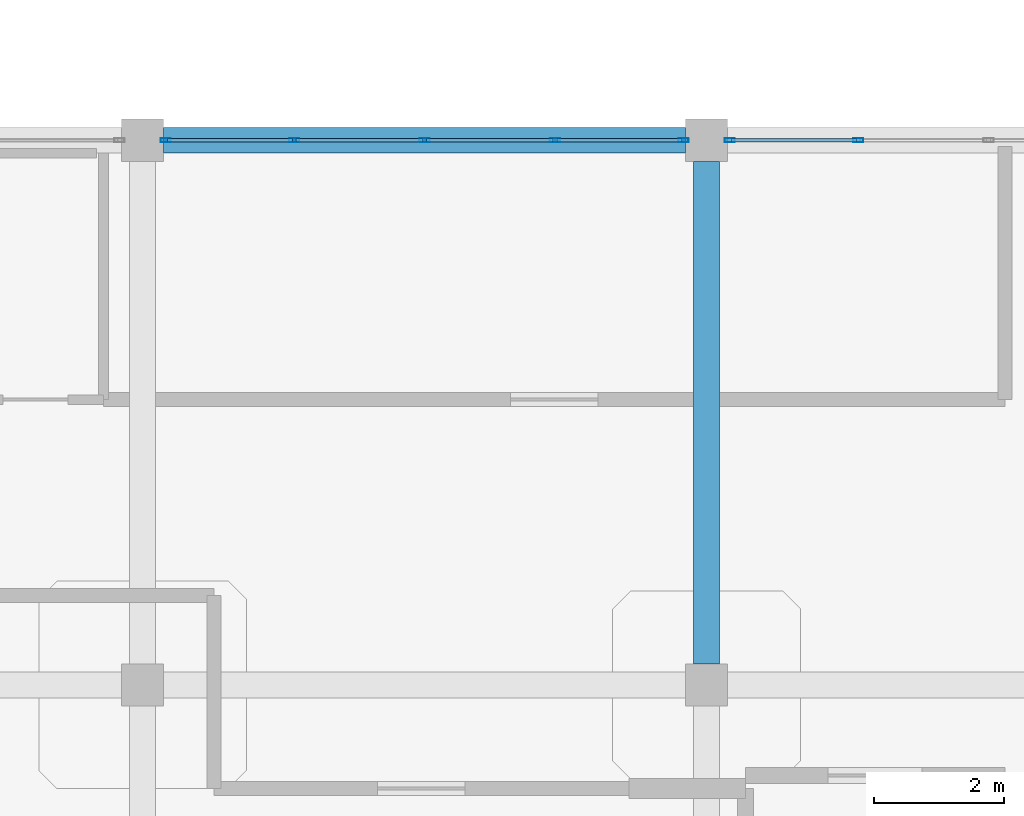
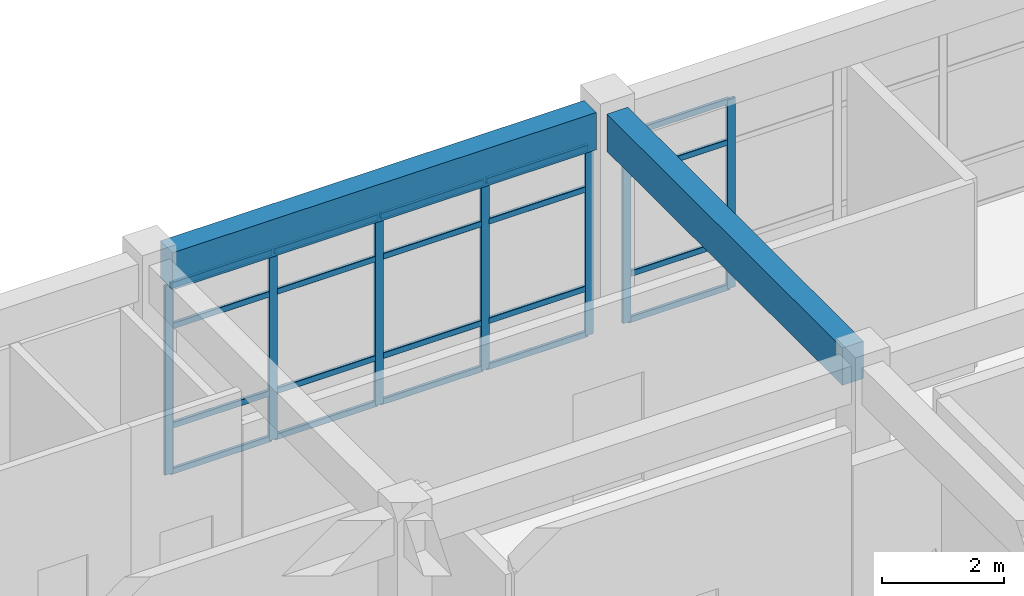
# One storey, part 18 of 41: 27 members, 2 beams, 2 elements without a shape of their own.
"""IFC4 building model written with IfcOpenShell, lengths in metres."""

from ifc_helpers import new_model, si_unit, derived_unit, direction, frame, origin, origin_2d, place, context, subcontext, project, spatial, rectangle, hollow_rectangle, extrude, material, layer, layer_set, material_profile, profile_set, type_object, element, aggregate, save


model = new_model("IFC4")

# Units and contexts
model_context = context("Model", 3, precision=1e-05, world=origin(), true_north=direction((0.0, 1.0)))
body_context = subcontext(model_context, "Body", "Model", "MODEL_VIEW")
ifc_project = project(units=[si_unit("LENGTHUNIT", "METRE"), si_unit("AREAUNIT", "SQUARE_METRE"), si_unit("VOLUMEUNIT", "CUBIC_METRE"), si_unit("PLANEANGLEUNIT", "RADIAN"), si_unit("MASSUNIT", "GRAM", prefix="KILO"), derived_unit("THERMALTRANSMITTANCEUNIT", [(si_unit("MASSUNIT", "GRAM", prefix="KILO"), 1), (si_unit("TIMEUNIT", "SECOND"), -3), (si_unit("THERMODYNAMICTEMPERATUREUNIT", "KELVIN"), -1)])], contexts=[model_context])

# Site, building, storey
site_placement = place(None, origin())
site = spatial("IfcSite", under=ifc_project, at=site_placement, CompositionType="ELEMENT")
building_placement = place(site_placement, origin())
building = spatial("IfcBuilding", under=site, at=building_placement, Name="Qinzheling Arcade Emporium", CompositionType="ELEMENT")
storey_placement = place(building_placement, frame((0.0, 0.0, 36.300048828125)))
storey = spatial("IfcBuildingStorey", under=building, at=storey_placement, Name="L08", CompositionType="ELEMENT", Elevation=36.300048828125)

# Curtain wall, members
ifc_material_1 = material(Name="Anodised aluminium and solar-control double glazing", Category="aluminium")
ifc_layer = layer(ifc_material_1, 0.159912109375, Name="Anodised aluminium and solar-control double glazing", Category="aluminium")
ifc_layer_set = layer_set([ifc_layer], Name="Anodised aluminium and solar-control double glazing")
curtain_wall_type = type_object("IfcCurtainWallType", Name="Atrium Clerestory Curtain Wall", PredefinedType="NOTDEFINED", material=ifc_layer_set)
curtain_wall_1_placement = place(storey_placement, origin())
curtain_wall_1 = element("IfcCurtainWall", 1, at=curtain_wall_1_placement, inside=storey, type_object=curtain_wall_type, Name="Curtain Wall CW-L08-465", PredefinedType="NOTDEFINED")
ifc_material_2 = material(Name="Anodised aluminium 6063-T6", Category="aluminium")
ifc_material_profile_1 = material_profile(ifc_material_2, hollow_rectangle(XDim=0.06005859375, YDim=0.159912109375, WallThickness=0.00390625, InnerFilletRadius=0.00390625, OuterFilletRadius=0.008056640625, at=origin_2d()), Name="RHS 160x60x4", Category="aluminium")
ifc_profile_set_1 = profile_set([ifc_material_profile_1], Name="Anodised aluminium 6063-T6")
member_type_1 = type_object("IfcMemberType", Name="Curtain Wall Mullion RHS160x60", PredefinedType="MULLION", material=ifc_profile_set_1)
member_1_placement = place(storey_placement, frame((43.85693359375, 42.0, 0.0), z_axis=(0.0, 0.0, 1.0), x_axis=(0.0, 1.0, 0.0)))
member_1 = element("IfcMember", 2, at=member_1_placement, type_object=member_type_1, Name="CW03 mullion 1", PredefinedType="MULLION", context=body_context, shape_type="SweptSolid", body=[
    extrude(hollow_rectangle(XDim=0.06005859375, YDim=0.159912109375, WallThickness=0.00390625, InnerFilletRadius=0.00390625, OuterFilletRadius=0.008056640625, at=origin_2d()), origin(), (0.0, 0.0, 1.0), 3.794921875),
])
member_2_placement = place(storey_placement, frame((45.83837890625, 42.0, 0.0), z_axis=(0.0, 0.0, 1.0), x_axis=(0.0, 1.0, 0.0)))
member_2 = element("IfcMember", 3, at=member_2_placement, type_object=member_type_1, Name="CW03 mullion 2", PredefinedType="MULLION", context=body_context, shape_type="SweptSolid", body=[
    extrude(hollow_rectangle(XDim=0.06005859375, YDim=0.159912109375, WallThickness=0.00390625, InnerFilletRadius=0.00390625, OuterFilletRadius=0.008056640625, at=origin_2d()), origin(), (0.0, 0.0, 1.0), 3.794921875),
])
member_3_placement = place(storey_placement, frame((47.85009765625, 42.0, 0.0), z_axis=(0.0, 0.0, 1.0), x_axis=(0.0, 1.0, 0.0)))
member_3 = element("IfcMember", 4, at=member_3_placement, type_object=member_type_1, Name="CW03 mullion 3", PredefinedType="MULLION", context=body_context, shape_type="SweptSolid", body=[
    extrude(hollow_rectangle(XDim=0.06005859375, YDim=0.159912109375, WallThickness=0.00390625, InnerFilletRadius=0.00390625, OuterFilletRadius=0.008056640625, at=origin_2d()), origin(), (0.0, 0.0, 1.0), 3.794921875),
])
member_4_placement = place(storey_placement, frame((49.861572265625, 42.0, 0.0), z_axis=(0.0, 0.0, 1.0), x_axis=(0.0, 1.0, 0.0)))
member_4 = element("IfcMember", 5, at=member_4_placement, type_object=member_type_1, Name="CW03 mullion 4", PredefinedType="MULLION", context=body_context, shape_type="SweptSolid", body=[
    extrude(hollow_rectangle(XDim=0.06005859375, YDim=0.159912109375, WallThickness=0.00390625, InnerFilletRadius=0.00390625, OuterFilletRadius=0.008056640625, at=origin_2d()), origin(), (0.0, 0.0, 1.0), 3.794921875),
])
member_5_placement = place(storey_placement, frame((51.843017578125, 42.0, 0.0), z_axis=(0.0, 0.0, 1.0), x_axis=(0.0, 1.0, 0.0)))
member_5 = element("IfcMember", 6, at=member_5_placement, type_object=member_type_1, Name="CW03 mullion 5", PredefinedType="MULLION", context=body_context, shape_type="SweptSolid", body=[
    extrude(hollow_rectangle(XDim=0.06005859375, YDim=0.159912109375, WallThickness=0.00390625, InnerFilletRadius=0.00390625, OuterFilletRadius=0.008056640625, at=origin_2d()), origin(), (0.0, 0.0, 1.0), 3.794921875),
])

curtain_wall_2_placement = place(storey_placement, origin())
curtain_wall_2 = element("IfcCurtainWall", 7, at=curtain_wall_2_placement, inside=storey, type_object=curtain_wall_type, Name="Curtain Wall CW-L08-466", PredefinedType="NOTDEFINED")
member_6_placement = place(storey_placement, frame((52.556884765625, 42.0, 0.0), z_axis=(0.0, 0.0, 1.0), x_axis=(0.0, 1.0, 0.0)))
member_6 = element("IfcMember", 8, at=member_6_placement, type_object=member_type_1, Name="CW03 mullion 1", PredefinedType="MULLION", context=body_context, shape_type="SweptSolid", body=[
    extrude(hollow_rectangle(XDim=0.06005859375, YDim=0.159912109375, WallThickness=0.00390625, InnerFilletRadius=0.00390625, OuterFilletRadius=0.008056640625, at=origin_2d()), origin(), (0.0, 0.0, 1.0), 3.794921875),
])
member_7_placement = place(storey_placement, frame((54.53857421875, 42.0, 0.0), z_axis=(0.0, 0.0, 1.0), x_axis=(0.0, 1.0, 0.0)))
member_7 = element("IfcMember", 9, at=member_7_placement, type_object=member_type_1, Name="CW03 mullion 2", PredefinedType="MULLION", context=body_context, shape_type="SweptSolid", body=[
    extrude(hollow_rectangle(XDim=0.06005859375, YDim=0.159912109375, WallThickness=0.00390625, InnerFilletRadius=0.00390625, OuterFilletRadius=0.008056640625, at=origin_2d()), origin(), (0.0, 0.0, 1.0), 3.794921875),
])

# Member
ifc_material_profile_2 = material_profile(ifc_material_2, hollow_rectangle(XDim=0.06005859375, YDim=0.1201171875, WallThickness=0.00390625, InnerFilletRadius=0.00390625, OuterFilletRadius=0.008056640625, at=origin_2d()), Name="RHS 120x60x4", Category="aluminium")
ifc_profile_set_2 = profile_set([ifc_material_profile_2], Name="Anodised aluminium 6063-T6")
member_type_2 = type_object("IfcMemberType", Name="Curtain Wall Transom RHS120x60", PredefinedType="USERDEFINED", material=ifc_profile_set_2)
member_8_placement = place(storey_placement, frame((43.886962890625, 42.0, 0.030029296875), z_axis=(1.0, 0.0, 0.0), x_axis=(0.0, 1.0, 0.0)))
member_8 = element("IfcMember", 10, at=member_8_placement, type_object=member_type_2, Name="CW03 transom 1.1", ObjectType="TRANSOM", PredefinedType="USERDEFINED", context=body_context, shape_type="SweptSolid", body=[
    extrude(hollow_rectangle(XDim=0.06005859375, YDim=0.1201171875, WallThickness=0.00390625, InnerFilletRadius=0.00390625, OuterFilletRadius=0.008056640625, at=origin_2d()), origin(), (0.0, 0.0, 1.0), 1.921630859375),
])

member_9_placement = place(storey_placement, frame((43.886962890625, 42.0, 0.949951171875), z_axis=(1.0, 0.0, 0.0), x_axis=(0.0, 1.0, 0.0)))
member_9 = element("IfcMember", 11, at=member_9_placement, type_object=member_type_2, Name="CW03 transom 1.2", ObjectType="TRANSOM", PredefinedType="USERDEFINED", context=body_context, shape_type="SweptSolid", body=[
    extrude(hollow_rectangle(XDim=0.06005859375, YDim=0.1201171875, WallThickness=0.00390625, InnerFilletRadius=0.00390625, OuterFilletRadius=0.008056640625, at=origin_2d()), origin(), (0.0, 0.0, 1.0), 1.921630859375),
])

member_10_placement = place(storey_placement, frame((43.886962890625, 42.0, 2.945068359375), z_axis=(1.0, 0.0, 0.0), x_axis=(0.0, 1.0, 0.0)))
member_10 = element("IfcMember", 12, at=member_10_placement, type_object=member_type_2, Name="CW03 transom 1.3", ObjectType="TRANSOM", PredefinedType="USERDEFINED", context=body_context, shape_type="SweptSolid", body=[
    extrude(hollow_rectangle(XDim=0.06005859375, YDim=0.1201171875, WallThickness=0.00390625, InnerFilletRadius=0.00390625, OuterFilletRadius=0.008056640625, at=origin_2d()), origin(), (0.0, 0.0, 1.0), 1.921630859375),
])

member_11_placement = place(storey_placement, frame((43.886962890625, 42.0, 3.764892578125), z_axis=(1.0, 0.0, 0.0), x_axis=(0.0, 1.0, 0.0)))
member_11 = element("IfcMember", 13, at=member_11_placement, type_object=member_type_2, Name="CW03 transom 1.4", ObjectType="TRANSOM", PredefinedType="USERDEFINED", context=body_context, shape_type="SweptSolid", body=[
    extrude(hollow_rectangle(XDim=0.06005859375, YDim=0.1201171875, WallThickness=0.00390625, InnerFilletRadius=0.00390625, OuterFilletRadius=0.008056640625, at=origin_2d()), origin(), (0.0, 0.0, 1.0), 1.921630859375),
])

member_12_placement = place(storey_placement, frame((45.868408203125, 42.0, 0.030029296875), z_axis=(1.0, 0.0, 0.0), x_axis=(0.0, 1.0, 0.0)))
member_12 = element("IfcMember", 14, at=member_12_placement, type_object=member_type_2, Name="CW03 transom 2.1", ObjectType="TRANSOM", PredefinedType="USERDEFINED", context=body_context, shape_type="SweptSolid", body=[
    extrude(hollow_rectangle(XDim=0.06005859375, YDim=0.1201171875, WallThickness=0.00390625, InnerFilletRadius=0.00390625, OuterFilletRadius=0.008056640625, at=origin_2d()), origin(), (0.0, 0.0, 1.0), 1.95166015625),
])

member_13_placement = place(storey_placement, frame((45.868408203125, 42.0, 0.949951171875), z_axis=(1.0, 0.0, 0.0), x_axis=(0.0, 1.0, 0.0)))
member_13 = element("IfcMember", 15, at=member_13_placement, type_object=member_type_2, Name="CW03 transom 2.2", ObjectType="TRANSOM", PredefinedType="USERDEFINED", context=body_context, shape_type="SweptSolid", body=[
    extrude(hollow_rectangle(XDim=0.06005859375, YDim=0.1201171875, WallThickness=0.00390625, InnerFilletRadius=0.00390625, OuterFilletRadius=0.008056640625, at=origin_2d()), origin(), (0.0, 0.0, 1.0), 1.95166015625),
])

member_14_placement = place(storey_placement, frame((45.868408203125, 42.0, 2.945068359375), z_axis=(1.0, 0.0, 0.0), x_axis=(0.0, 1.0, 0.0)))
member_14 = element("IfcMember", 16, at=member_14_placement, type_object=member_type_2, Name="CW03 transom 2.3", ObjectType="TRANSOM", PredefinedType="USERDEFINED", context=body_context, shape_type="SweptSolid", body=[
    extrude(hollow_rectangle(XDim=0.06005859375, YDim=0.1201171875, WallThickness=0.00390625, InnerFilletRadius=0.00390625, OuterFilletRadius=0.008056640625, at=origin_2d()), origin(), (0.0, 0.0, 1.0), 1.95166015625),
])

member_15_placement = place(storey_placement, frame((45.868408203125, 42.0, 3.764892578125), z_axis=(1.0, 0.0, 0.0), x_axis=(0.0, 1.0, 0.0)))
member_15 = element("IfcMember", 17, at=member_15_placement, type_object=member_type_2, Name="CW03 transom 2.4", ObjectType="TRANSOM", PredefinedType="USERDEFINED", context=body_context, shape_type="SweptSolid", body=[
    extrude(hollow_rectangle(XDim=0.06005859375, YDim=0.1201171875, WallThickness=0.00390625, InnerFilletRadius=0.00390625, OuterFilletRadius=0.008056640625, at=origin_2d()), origin(), (0.0, 0.0, 1.0), 1.95166015625),
])

member_16_placement = place(storey_placement, frame((47.8798828125, 42.0, 0.030029296875), z_axis=(1.0, 0.0, 0.0), x_axis=(0.0, 1.0, 0.0)))
member_16 = element("IfcMember", 18, at=member_16_placement, type_object=member_type_2, Name="CW03 transom 3.1", ObjectType="TRANSOM", PredefinedType="USERDEFINED", context=body_context, shape_type="SweptSolid", body=[
    extrude(hollow_rectangle(XDim=0.06005859375, YDim=0.1201171875, WallThickness=0.00390625, InnerFilletRadius=0.00390625, OuterFilletRadius=0.008056640625, at=origin_2d()), origin(), (0.0, 0.0, 1.0), 1.95166015625),
])

member_17_placement = place(storey_placement, frame((47.8798828125, 42.0, 0.949951171875), z_axis=(1.0, 0.0, 0.0), x_axis=(0.0, 1.0, 0.0)))
member_17 = element("IfcMember", 19, at=member_17_placement, type_object=member_type_2, Name="CW03 transom 3.2", ObjectType="TRANSOM", PredefinedType="USERDEFINED", context=body_context, shape_type="SweptSolid", body=[
    extrude(hollow_rectangle(XDim=0.06005859375, YDim=0.1201171875, WallThickness=0.00390625, InnerFilletRadius=0.00390625, OuterFilletRadius=0.008056640625, at=origin_2d()), origin(), (0.0, 0.0, 1.0), 1.95166015625),
])

member_18_placement = place(storey_placement, frame((47.8798828125, 42.0, 2.945068359375), z_axis=(1.0, 0.0, 0.0), x_axis=(0.0, 1.0, 0.0)))
member_18 = element("IfcMember", 20, at=member_18_placement, type_object=member_type_2, Name="CW03 transom 3.3", ObjectType="TRANSOM", PredefinedType="USERDEFINED", context=body_context, shape_type="SweptSolid", body=[
    extrude(hollow_rectangle(XDim=0.06005859375, YDim=0.1201171875, WallThickness=0.00390625, InnerFilletRadius=0.00390625, OuterFilletRadius=0.008056640625, at=origin_2d()), origin(), (0.0, 0.0, 1.0), 1.95166015625),
])

member_19_placement = place(storey_placement, frame((47.8798828125, 42.0, 3.764892578125), z_axis=(1.0, 0.0, 0.0), x_axis=(0.0, 1.0, 0.0)))
member_19 = element("IfcMember", 21, at=member_19_placement, type_object=member_type_2, Name="CW03 transom 3.4", ObjectType="TRANSOM", PredefinedType="USERDEFINED", context=body_context, shape_type="SweptSolid", body=[
    extrude(hollow_rectangle(XDim=0.06005859375, YDim=0.1201171875, WallThickness=0.00390625, InnerFilletRadius=0.00390625, OuterFilletRadius=0.008056640625, at=origin_2d()), origin(), (0.0, 0.0, 1.0), 1.95166015625),
])

member_20_placement = place(storey_placement, frame((49.8916015625, 42.0, 0.030029296875), z_axis=(1.0, 0.0, 0.0), x_axis=(0.0, 1.0, 0.0)))
member_20 = element("IfcMember", 22, at=member_20_placement, type_object=member_type_2, Name="CW03 transom 4.1", ObjectType="TRANSOM", PredefinedType="USERDEFINED", context=body_context, shape_type="SweptSolid", body=[
    extrude(hollow_rectangle(XDim=0.06005859375, YDim=0.1201171875, WallThickness=0.00390625, InnerFilletRadius=0.00390625, OuterFilletRadius=0.008056640625, at=origin_2d()), origin(), (0.0, 0.0, 1.0), 1.92138671875),
])

member_21_placement = place(storey_placement, frame((49.8916015625, 42.0, 0.949951171875), z_axis=(1.0, 0.0, 0.0), x_axis=(0.0, 1.0, 0.0)))
member_21 = element("IfcMember", 23, at=member_21_placement, type_object=member_type_2, Name="CW03 transom 4.2", ObjectType="TRANSOM", PredefinedType="USERDEFINED", context=body_context, shape_type="SweptSolid", body=[
    extrude(hollow_rectangle(XDim=0.06005859375, YDim=0.1201171875, WallThickness=0.00390625, InnerFilletRadius=0.00390625, OuterFilletRadius=0.008056640625, at=origin_2d()), origin(), (0.0, 0.0, 1.0), 1.92138671875),
])

member_22_placement = place(storey_placement, frame((49.8916015625, 42.0, 2.945068359375), z_axis=(1.0, 0.0, 0.0), x_axis=(0.0, 1.0, 0.0)))
member_22 = element("IfcMember", 24, at=member_22_placement, type_object=member_type_2, Name="CW03 transom 4.3", ObjectType="TRANSOM", PredefinedType="USERDEFINED", context=body_context, shape_type="SweptSolid", body=[
    extrude(hollow_rectangle(XDim=0.06005859375, YDim=0.1201171875, WallThickness=0.00390625, InnerFilletRadius=0.00390625, OuterFilletRadius=0.008056640625, at=origin_2d()), origin(), (0.0, 0.0, 1.0), 1.92138671875),
])

member_23_placement = place(storey_placement, frame((49.8916015625, 42.0, 3.764892578125), z_axis=(1.0, 0.0, 0.0), x_axis=(0.0, 1.0, 0.0)))
member_23 = element("IfcMember", 25, at=member_23_placement, type_object=member_type_2, Name="CW03 transom 4.4", ObjectType="TRANSOM", PredefinedType="USERDEFINED", context=body_context, shape_type="SweptSolid", body=[
    extrude(hollow_rectangle(XDim=0.06005859375, YDim=0.1201171875, WallThickness=0.00390625, InnerFilletRadius=0.00390625, OuterFilletRadius=0.008056640625, at=origin_2d()), origin(), (0.0, 0.0, 1.0), 1.92138671875),
])

aggregate(curtain_wall_1, [member_1, member_2, member_3, member_4, member_5, member_8, member_9, member_10, member_11, member_12, member_13, member_14, member_15, member_16, member_17, member_18, member_19, member_20, member_21, member_22, member_23])

member_24_placement = place(storey_placement, frame((52.5869140625, 42.0, 0.030029296875), z_axis=(1.0, 0.0, 0.0), x_axis=(0.0, 1.0, 0.0)))
member_24 = element("IfcMember", 26, at=member_24_placement, type_object=member_type_2, Name="CW03 transom 1.1", ObjectType="TRANSOM", PredefinedType="USERDEFINED", context=body_context, shape_type="SweptSolid", body=[
    extrude(hollow_rectangle(XDim=0.06005859375, YDim=0.1201171875, WallThickness=0.00390625, InnerFilletRadius=0.00390625, OuterFilletRadius=0.008056640625, at=origin_2d()), origin(), (0.0, 0.0, 1.0), 1.921630859375),
])

member_25_placement = place(storey_placement, frame((52.5869140625, 42.0, 0.949951171875), z_axis=(1.0, 0.0, 0.0), x_axis=(0.0, 1.0, 0.0)))
member_25 = element("IfcMember", 27, at=member_25_placement, type_object=member_type_2, Name="CW03 transom 1.2", ObjectType="TRANSOM", PredefinedType="USERDEFINED", context=body_context, shape_type="SweptSolid", body=[
    extrude(hollow_rectangle(XDim=0.06005859375, YDim=0.1201171875, WallThickness=0.00390625, InnerFilletRadius=0.00390625, OuterFilletRadius=0.008056640625, at=origin_2d()), origin(), (0.0, 0.0, 1.0), 1.921630859375),
])

member_26_placement = place(storey_placement, frame((52.5869140625, 42.0, 2.945068359375), z_axis=(1.0, 0.0, 0.0), x_axis=(0.0, 1.0, 0.0)))
member_26 = element("IfcMember", 28, at=member_26_placement, type_object=member_type_2, Name="CW03 transom 1.3", ObjectType="TRANSOM", PredefinedType="USERDEFINED", context=body_context, shape_type="SweptSolid", body=[
    extrude(hollow_rectangle(XDim=0.06005859375, YDim=0.1201171875, WallThickness=0.00390625, InnerFilletRadius=0.00390625, OuterFilletRadius=0.008056640625, at=origin_2d()), origin(), (0.0, 0.0, 1.0), 1.921630859375),
])

member_27_placement = place(storey_placement, frame((52.5869140625, 42.0, 3.764892578125), z_axis=(1.0, 0.0, 0.0), x_axis=(0.0, 1.0, 0.0)))
member_27 = element("IfcMember", 29, at=member_27_placement, type_object=member_type_2, Name="CW03 transom 1.4", ObjectType="TRANSOM", PredefinedType="USERDEFINED", context=body_context, shape_type="SweptSolid", body=[
    extrude(hollow_rectangle(XDim=0.06005859375, YDim=0.1201171875, WallThickness=0.00390625, InnerFilletRadius=0.00390625, OuterFilletRadius=0.008056640625, at=origin_2d()), origin(), (0.0, 0.0, 1.0), 1.921630859375),
])

aggregate(curtain_wall_2, [member_6, member_7, member_24, member_25, member_26, member_27])

# Beams
ifc_material_3 = material(Name="Concrete C40", Category="concrete")
ifc_material_profile_3 = material_profile(ifc_material_3, rectangle(XDim=0.39990234375, YDim=0.75, at=origin_2d()), Name="RC 400x750", Category="concrete")
ifc_profile_set_3 = profile_set([ifc_material_profile_3], Name="Concrete C40")
beam_type = type_object("IfcBeamType", Name="RC Interior Tie Beam 400x750 C40", PredefinedType="BEAM", material=ifc_profile_set_3)
beam_1_placement = place(storey_placement, frame((43.824951171875, 42.0, 4.18505859375), z_axis=(1.0, 0.0, 0.0), x_axis=(0.0, 1.0, 0.0)))
element("IfcBeam", 30, at=beam_1_placement, inside=storey, type_object=beam_type, Name="Beam BM-L08-X-F-6", PredefinedType="BEAM", context=body_context, shape_type="SweptSolid", body=[
    extrude(rectangle(XDim=0.39990234375, YDim=0.75, at=origin_2d()), origin(), (0.0, 0.0, 1.0), 8.050048828125),
])
beam_2_placement = place(storey_placement, frame((52.199951171875, 33.925048828125, 4.18505859375), z_axis=(0.0, 1.0, 0.0), x_axis=(-1.0, 0.0, 0.0)))
element("IfcBeam", 31, at=beam_2_placement, inside=storey, type_object=beam_type, Name="Beam BM-L08-Y-7-E", PredefinedType="BEAM", context=body_context, shape_type="SweptSolid", body=[
    extrude(rectangle(XDim=0.39990234375, YDim=0.75, at=origin_2d()), origin(), (0.0, 0.0, 1.0), 7.75),
])

save(model, "model.ifc")
